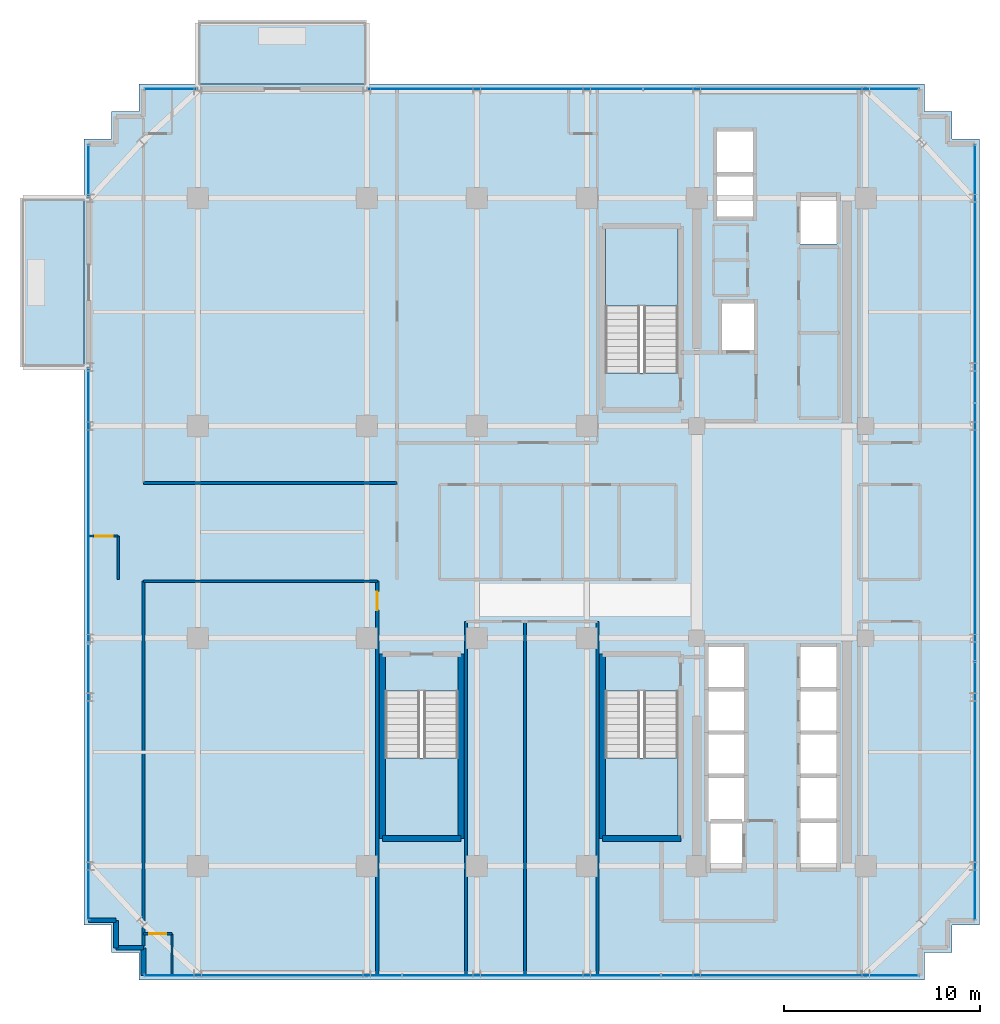
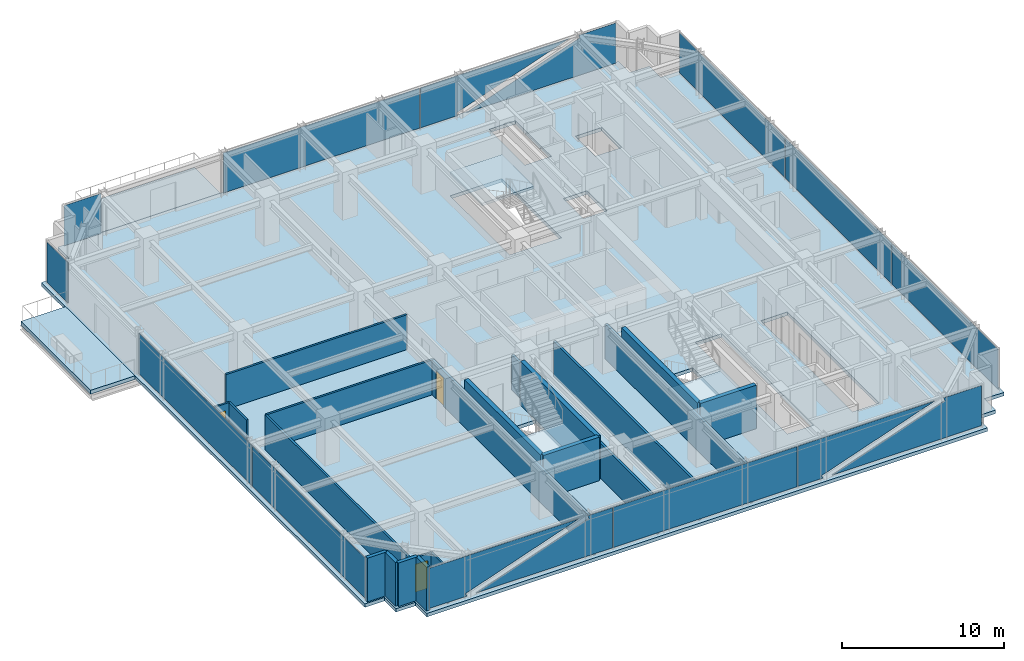
# One storey, part 25 of 32: 20 walls, 12 plates, 6 slabs, 3 doors, 3 openings, 9 elements without a shape of their own.
"""IFC4 building model written with IfcOpenShell, lengths in metres."""

import ifcopenshell
import ifcopenshell.guid

model = None  # the IFC model being written
_history = None  # IfcOwnerHistory: only IFC2X3 demands one
_inside = {}  # id of a spatial element -> (the spatial element, [elements in it])
_under = {}  # id of a project, library or spatial element -> (it, [spatial elements below it])
_declared = {}  # id of a project -> (the project, [libraries it declares])
_typed = {}  # id of a type object -> (the type object, [elements of that type])
_made_of = {}  # id of a material, layer set ... -> (it, [elements and type objects made of it])


def new_model(schema):
    """Start an empty IFC model of exactly this schema.

    Asked for "IFC4X3", IfcOpenShell would pick the latest addendum, in which some entities
    have other attributes; the version numbers below select the first issue.
    IFC2X3 requires an IfcOwnerHistory on every rooted entity: one is made here for all.
    """
    global model, _history
    if schema == "IFC4X3":
        model = ifcopenshell.file(schema_version=(4, 3, 0, 0))
    else:
        model = ifcopenshell.file(schema=schema)
    _inside.clear()
    _under.clear()
    _declared.clear()
    _typed.clear()
    _made_of.clear()
    _history = None
    if model.schema == "IFC2X3":
        org = make("IfcOrganization", Name="unknown")
        user = make(
            "IfcPersonAndOrganization",
            ThePerson=make("IfcPerson", FamilyName="unknown"),
            TheOrganization=org,
        )
        app = make(
            "IfcApplication",
            ApplicationDeveloper=org,
            Version="unknown",
            ApplicationFullName="unknown",
            ApplicationIdentifier="unknown",
        )
        _history = make(
            "IfcOwnerHistory",
            OwningUser=user,
            OwningApplication=app,
            ChangeAction="ADDED",
            CreationDate=0,
        )
    return model


def make(cls, **values):
    """One entity of the class cls with the attributes given. An attribute that is None is left unset."""
    return model.create_entity(
        cls, **{name: value for name, value in values.items() if value is not None}
    )


def rooted(cls, **values):
    """An entity with a GlobalId (a new one), such as an element, a storey or a relation."""
    return make(cls, GlobalId=ifcopenshell.guid.new(), OwnerHistory=_history, **values)


def si_unit(unit_type, name, prefix=None):
    """IfcSIUnit, for example si_unit("LENGTHUNIT", "METRE", prefix="MILLI")."""
    return make("IfcSIUnit", UnitType=unit_type, Prefix=prefix, Name=name)


def assignment(units):
    """IfcUnitAssignment: the units of a project."""
    return None if units is None else make("IfcUnitAssignment", Units=units)


def point(xyz):
    """IfcCartesianPoint."""
    return None if xyz is None else make("IfcCartesianPoint", Coordinates=xyz)


def direction(xyz):
    """IfcDirection."""
    return None if xyz is None else make("IfcDirection", DirectionRatios=xyz)


def frame(location, z_axis=None, x_axis=None):
    """IfcAxis2Placement3D, a coordinate frame: its origin and axes. An axis left out is left unset."""
    return make(
        "IfcAxis2Placement3D",
        Location=point(location),
        Axis=direction(z_axis),
        RefDirection=direction(x_axis),
    )


def frame_2d(location, x_axis=None):
    """IfcAxis2Placement2D, a coordinate frame in the plane: its origin and x axis."""
    return make(
        "IfcAxis2Placement2D", Location=point(location), RefDirection=direction(x_axis)
    )


def origin():
    """The frame at (0, 0, 0) with its axes left unset."""
    return frame((0.0, 0.0, 0.0))


def origin_2d():
    """The frame at (0, 0) in the plane with its x axis left unset."""
    return frame_2d((0.0, 0.0))


def place(relative_to, where):
    """IfcLocalPlacement: puts the frame where relative to a parent placement (None: the world)."""
    return make(
        "IfcLocalPlacement", PlacementRelTo=relative_to, RelativePlacement=where
    )


def context(
    kind, dimensions, precision=None, world=None, true_north=None, identifier=None
):
    """IfcGeometricRepresentationContext, for example the 3D "Model" context."""
    return make(
        "IfcGeometricRepresentationContext",
        ContextIdentifier=identifier,
        ContextType=kind,
        CoordinateSpaceDimension=dimensions,
        Precision=precision,
        WorldCoordinateSystem=world,
        TrueNorth=true_north,
    )


def subcontext(parent, identifier, kind, view, scale=None):
    """IfcGeometricRepresentationSubContext, for example "Body" below "Model"."""
    return make(
        "IfcGeometricRepresentationSubContext",
        ContextIdentifier=identifier,
        ContextType=kind,
        ParentContext=parent,
        TargetScale=scale,
        TargetView=view,
    )


def project(units=None, contexts=None):
    """IfcProject with its units and contexts."""
    return rooted(
        "IfcProject",
        Name="project",
        RepresentationContexts=contexts,
        UnitsInContext=assignment(units),
    )


def spatial(cls, under=None, at=None, **own):
    """A site, building, storey or space (cls), placed at a placement, below another one or the project."""
    s = rooted(cls, ObjectPlacement=at, **own)
    if under is not None:
        _under.setdefault(under.id(), (under, []))[1].append(s)
    return s


def polyline(points):
    """IfcPolyline through the points."""
    return make("IfcPolyline", Points=[point(p) for p in points])


def profile(cls, at=None, kind="AREA", **sizes):
    """A parametric profile (cls). Its sizes go by their IFC names, for example OverallWidth=200.0."""
    return make(cls, ProfileType=kind, Position=at, **sizes)


def rectangle(**sizes):
    """IfcRectangleProfileDef."""
    return profile("IfcRectangleProfileDef", **sizes)


def outline(outer, holes=None, kind="AREA"):
    """IfcArbitraryClosedProfileDef: a profile drawn as a closed curve; with holes, ...WithVoids."""
    if holes is None:
        return make("IfcArbitraryClosedProfileDef", ProfileType=kind, OuterCurve=outer)
    return make(
        "IfcArbitraryProfileDefWithVoids",
        ProfileType=kind,
        OuterCurve=outer,
        InnerCurves=holes,
    )


def extrude(swept, where, along, depth):
    """IfcExtrudedAreaSolid: the profile swept, set in the frame where, extruded along a direction by depth."""
    return make(
        "IfcExtrudedAreaSolid",
        SweptArea=swept,
        Position=where,
        ExtrudedDirection=direction(along),
        Depth=depth,
    )


def shape(context_of_items, identifier, shape_type, items):
    """IfcShapeRepresentation: the items that make up one representation, for example the "Body"."""
    return make(
        "IfcShapeRepresentation",
        ContextOfItems=context_of_items,
        RepresentationIdentifier=identifier,
        RepresentationType=shape_type,
        Items=items,
    )


def source(mapping_origin, context_of_items, identifier, shape_type, items):
    """IfcRepresentationMap: a shape defined once, which mapped items show again and again."""
    return make(
        "IfcRepresentationMap",
        MappingOrigin=mapping_origin,
        MappedRepresentation=shape(context_of_items, identifier, shape_type, items),
    )


def transform(
    local_origin,
    x_axis=None,
    y_axis=None,
    z_axis=None,
    scale=None,
    scale2=None,
    scale3=None,
    uniform=True,
):
    """IfcCartesianTransformationOperator3D, or its non-uniform kind. x_axis, y_axis, z_axis: its Axis1, 2, 3."""
    if uniform:
        return make(
            "IfcCartesianTransformationOperator3D",
            Axis1=direction(x_axis),
            Axis2=direction(y_axis),
            LocalOrigin=point(local_origin),
            Scale=scale,
            Axis3=direction(z_axis),
        )
    return make(
        "IfcCartesianTransformationOperator3DnonUniform",
        Axis1=direction(x_axis),
        Axis2=direction(y_axis),
        LocalOrigin=point(local_origin),
        Scale=scale,
        Axis3=direction(z_axis),
        Scale2=scale2,
        Scale3=scale3,
    )


def mapped(mapping_source, mapping_target):
    """IfcMappedItem: shows the shape of a source again, moved by a transform."""
    return make(
        "IfcMappedItem", MappingSource=mapping_source, MappingTarget=mapping_target
    )


def material(Name=None, Category=None):
    """IfcMaterial."""
    return make("IfcMaterial", Name=Name, Category=Category)


def layer(
    of_material, thickness, ventilated=None, Name=None, Category=None, Priority=None
):
    """IfcMaterialLayer: one layer of a wall or slab, of a material (None: an air gap)."""
    return make(
        "IfcMaterialLayer",
        Material=of_material,
        LayerThickness=thickness,
        IsVentilated=ventilated,
        Name=Name,
        Category=Category,
        Priority=Priority,
    )


def layer_set(layers, Name=None):
    """IfcMaterialLayerSet."""
    return make("IfcMaterialLayerSet", MaterialLayers=layers, LayerSetName=Name)


def made_of(thing, what):
    """Note that an element or type object is made of a material, layer set ...; save() writes the relation."""
    if what is not None:
        _made_of.setdefault(what.id(), (what, []))[1].append(thing)
    return thing


def type_object(cls, material=None, **own):
    """A type object (cls), such as IfcWallType, which elements share."""
    return made_of(rooted(cls, **own), material)


def element(
    cls,
    number,
    at=None,
    inside=None,
    cuts=None,
    type_object=None,
    material=None,
    context=None,
    identifier="Body",
    shape_type=None,
    held_by="IfcProductDefinitionShape",
    body=None,
    shapes=None,
    **own,
):
    """One element of the class cls, such as IfcWall. Its Tag is "e" and its number.

    at: its placement. inside: the storey or other place that contains it. cuts: it is an
    opening in that element (IfcRelVoidsElement). A single representation is given by context,
    identifier, shape_type and body (its items); several are given by shapes. held_by: the class
    of the entity that holds the representations. save() writes the other relations.
    """
    e = rooted(cls, Tag="e%d" % number, ObjectPlacement=at, **own)
    if body is not None:
        shapes = [shape(context, identifier, shape_type, body)]
    if shapes is not None:
        e.Representation = make(held_by, Representations=shapes)
    if inside is not None:
        _inside.setdefault(inside.id(), (inside, []))[1].append(e)
    if cuts is not None:
        rooted(
            "IfcRelVoidsElement", RelatingBuildingElement=cuts, RelatedOpeningElement=e
        )
    if type_object is not None:
        _typed.setdefault(type_object.id(), (type_object, []))[1].append(e)
    return made_of(e, material)


def fill(opening, filler):
    """IfcRelFillsElement: the door or window that sits in an opening."""
    return rooted(
        "IfcRelFillsElement",
        RelatingOpeningElement=opening,
        RelatedBuildingElement=filler,
    )


def aggregate(whole, parts):
    """IfcRelAggregates: a whole, such as a stair, and the parts it consists of."""
    return rooted("IfcRelAggregates", RelatingObject=whole, RelatedObjects=parts)


def save(model, path):
    """Write the relations noted so far, then the file.

    IfcRelAggregates (storeys below a building ...), IfcRelContainedInSpatialStructure (elements
    in a storey), IfcRelDefinesByType, IfcRelAssociatesMaterial and IfcRelDeclares: one each for
    every whole, place, type object, material and project.
    """
    for whole, parts in _under.values():
        aggregate(whole, parts)
    for where, things in _inside.values():
        rooted(
            "IfcRelContainedInSpatialStructure",
            RelatedElements=things,
            RelatingStructure=where,
        )
    for kind, things in _typed.values():
        rooted("IfcRelDefinesByType", RelatedObjects=things, RelatingType=kind)
    for what, things in _made_of.values():
        rooted("IfcRelAssociatesMaterial", RelatedObjects=things, RelatingMaterial=what)
    for by, libraries in _declared.values():
        rooted("IfcRelDeclares", RelatingContext=by, RelatedDefinitions=libraries)
    model.write(path)


model = new_model("IFC4")

# Units and contexts
model_context = context("Model", 3, precision=1e-05, world=origin(), true_north=direction((0.0, 1.0)))
body_context = subcontext(model_context, "Body", "Model", "MODEL_VIEW")
ifc_project = project(units=[si_unit("LENGTHUNIT", "METRE"), si_unit("AREAUNIT", "SQUARE_METRE"), si_unit("VOLUMEUNIT", "CUBIC_METRE"), si_unit("PLANEANGLEUNIT", "RADIAN"), si_unit("MASSUNIT", "GRAM", prefix="KILO")], contexts=[model_context])

# Site, building, storey
site_placement = place(None, origin())
site = spatial("IfcSite", under=ifc_project, at=site_placement, CompositionType="ELEMENT")
building_placement = place(site_placement, origin())
building = spatial("IfcBuilding", under=site, at=building_placement, Name="Nahalor Promenade Grand Hotel", CompositionType="ELEMENT")
storey_placement = place(building_placement, frame((0.0, 0.0, 196.449951171875)))
storey = spatial("IfcBuildingStorey", under=building, at=storey_placement, Name="L50", CompositionType="ELEMENT", Elevation=196.449951171875)

# Curtain wall, plates
ifc_material_1 = material(Name="Anodised Bronze Aluminium EN AW-6063 T6", Category="aluminium")
curtain_wall_type = type_object("IfcCurtainWallType", Name="CW2 Typical Hotel Flush Bronze Unitised Curtain Wall", PredefinedType="USERDEFINED", material=ifc_material_1)
curtain_wall_1_placement = place(storey_placement, origin())
curtain_wall_1 = element("IfcCurtainWall", 1, at=curtain_wall_1_placement, inside=storey, type_object=curtain_wall_type, Name="L50 Curtain Wall CW-L50-S-1", ObjectType="UNITISED_CURTAIN_WALL", PredefinedType="USERDEFINED")
ifc_material_2 = material(Name="Low-E Laminated Solar Glass", Category="glass")
ifc_layer_1 = layer(ifc_material_2, 0.028076171875)
ifc_layer_set_1 = layer_set([ifc_layer_1], Name="Low-E Laminated Solar Glass")
plate_type = type_object("IfcPlateType", Name="CWP2 Bronze Low-E Vision IGU 28mm", PredefinedType="CURTAIN_PANEL", material=ifc_layer_set_1)
plate_1_placement = place(storey_placement, frame((-13.156982421875, -22.56005859375, 0.1298828125), z_axis=(0.0, 0.0, 1.0), x_axis=(1.0, 0.0, 0.0)))
plate_1 = element("IfcPlate", 2, at=plate_1_placement, type_object=plate_type, Name="CW-L50-S-1 Glazing Panel 0-0", PredefinedType="CURTAIN_PANEL", context=body_context, shape_type="SweptSolid", body=[
    extrude(outline(polyline([(-6.537841796875, 3.030029296875), (-6.537841796875, 0.0), (-3.862548828125, 0.0), (-3.9404296875, 0.224365234375), (4.12939453125, 3.030029296875), (-6.537841796875, 3.030029296875)])), frame((0.0, 0.01416015625, 0.0), z_axis=(0.0, -1.0, 0.0), x_axis=(1.0, 0.0, 0.0)), (0.0, 0.0, 1.0), 0.028076171875),
    extrude(outline(polyline([(6.537841796875, 0.0), (6.537841796875, 3.030029296875), (4.776611328125, 3.030029296875), (4.8544921875, 2.8056640625), (-3.21533203125, 0.0), (6.537841796875, 0.0)])), frame((0.0, 0.01416015625, 0.0), z_axis=(0.0, -1.0, 0.0), x_axis=(1.0, 0.0, 0.0)), (0.0, 0.0, 1.0), 0.028076171875),
])
plate_2_placement = place(storey_placement, frame((13.156982421875, -22.56005859375, 0.1298828125), z_axis=(0.0, 0.0, 1.0), x_axis=(1.0, 0.0, 0.0)))
plate_2 = element("IfcPlate", 3, at=plate_2_placement, type_object=plate_type, Name="CW-L50-S-1 Glazing Panel 2-0", PredefinedType="CURTAIN_PANEL", context=body_context, shape_type="SweptSolid", body=[
    extrude(outline(polyline([(-6.537841796875, 3.030029296875), (-6.537841796875, 0.0), (-4.776611328125, 0.0), (-4.8544921875, 0.224365234375), (3.21533203125, 3.030029296875), (-6.537841796875, 3.030029296875)])), frame((0.0, 0.01416015625, 0.0), z_axis=(0.0, -1.0, 0.0), x_axis=(1.0, 0.0, 0.0)), (0.0, 0.0, 1.0), 0.028076171875),
    extrude(outline(polyline([(6.537841796875, 0.0), (6.537841796875, 3.030029296875), (3.862548828125, 3.030029296875), (3.9404296875, 2.8056640625), (-4.12939453125, 0.0), (6.537841796875, 0.0)])), frame((0.0, 0.01416015625, 0.0), z_axis=(0.0, -1.0, 0.0), x_axis=(1.0, 0.0, 0.0)), (0.0, 0.0, 1.0), 0.028076171875),
])

# Curtain wall, plate
curtain_wall_2_placement = place(storey_placement, origin())
curtain_wall_2 = element("IfcCurtainWall", 4, at=curtain_wall_2_placement, inside=storey, type_object=curtain_wall_type, Name="L50 Curtain Wall CW-L50-N-3", ObjectType="UNITISED_CURTAIN_WALL", PredefinedType="USERDEFINED")
plate_3_placement = place(storey_placement, frame((12.703857421875, 22.56005859375, 0.1298828125), z_axis=(0.0, 0.0, 1.0), x_axis=(1.0, 0.0, 0.0)))
plate_3 = element("IfcPlate", 5, at=plate_3_placement, type_object=plate_type, Name="CW-L50-N-3 Glazing Panel 1-0", PredefinedType="CURTAIN_PANEL", context=body_context, shape_type="SweptSolid", body=[
    extrude(outline(polyline([(-6.9912109375, 3.030029296875), (-6.9912109375, 0.0), (-4.3232421875, 0.0), (-4.4013671875, 0.224365234375), (3.668701171875, 3.030029296875), (-6.9912109375, 3.030029296875)])), frame((0.0, 0.01416015625, 0.0), z_axis=(0.0, -1.0, 0.0), x_axis=(1.0, 0.0, 0.0)), (0.0, 0.0, 1.0), 0.028076171875),
    extrude(outline(polyline([(6.9912109375, 0.0), (6.9912109375, 3.030029296875), (4.315673828125, 3.030029296875), (4.393798828125, 2.8056640625), (-3.676025390625, 0.0), (6.9912109375, 0.0)])), frame((0.0, 0.01416015625, 0.0), z_axis=(0.0, -1.0, 0.0), x_axis=(1.0, 0.0, 0.0)), (0.0, 0.0, 1.0), 0.028076171875),
])

# Stair, slab
ifc_material_3 = material(Name="Concrete B-50 (C40/50)", Category="concrete")
stair_type_1 = type_object("IfcStairType", Name="Stair-ST1", PredefinedType="HALF_TURN_STAIR", material=ifc_material_3)
stair_1_placement = place(storey_placement, origin())
stair_1 = element("IfcStair", 6, at=stair_1_placement, inside=storey, type_object=stair_type_1, Name="L50 ST1", PredefinedType="HALF_TURN_STAIR")
ifc_layer_2 = layer(ifc_material_3, 0.199951171875)
ifc_layer_set_2 = layer_set([ifc_layer_2], Name="Concrete B-50 (C40/50)")
slab_type_1 = type_object("IfcSlabType", Name="Landing-ST1", PredefinedType="LANDING", material=ifc_layer_set_2)
slab_1_placement = place(storey_placement, frame((0.0, 0.0, 1.625)))
slab_1 = element("IfcSlab", 7, at=slab_1_placement, type_object=slab_type_1, Name="ST1 landing 1", PredefinedType="LANDING", context=body_context, shape_type="SweptSolid", body=[
    extrude(outline(polyline([(7.449951171875, 11.5), (7.449951171875, 15.449951171875), (3.75, 15.449951171875), (3.75, 11.5), (7.449951171875, 11.5)])), origin(), (0.0, 0.0, 1.0), 0.199951171875),
])
aggregate(stair_1, [slab_1])

stair_type_2 = type_object("IfcStairType", Name="Stair-ST2", PredefinedType="HALF_TURN_STAIR", material=ifc_material_3)
stair_2_placement = place(storey_placement, origin())
stair_2 = element("IfcStair", 8, at=stair_2_placement, inside=storey, type_object=stair_type_2, Name="L50 ST2", PredefinedType="HALF_TURN_STAIR")
ifc_layer_3 = layer(ifc_material_3, 0.2099609375)
ifc_layer_set_3 = layer_set([ifc_layer_3], Name="Concrete B-50 (C40/50)")
slab_type_2 = type_object("IfcSlabType", Name="Landing-ST2", PredefinedType="LANDING", material=ifc_layer_set_3)
slab_2_placement = place(storey_placement, frame((0.0, 0.0, 1.614990234375)))
slab_2 = element("IfcSlab", 9, at=slab_2_placement, type_object=slab_type_2, Name="ST2 landing 1", PredefinedType="LANDING", context=body_context, shape_type="SweptSolid", body=[
    extrude(outline(polyline([(3.75, -11.5), (3.75, -15.449951171875), (7.449951171875, -15.449951171875), (7.449951171875, -11.5), (3.75, -11.5)])), origin(), (0.0, 0.0, 1.0), 0.2099609375),
])
aggregate(stair_2, [slab_2])

stair_type_3 = type_object("IfcStairType", Name="Stair-ST3", PredefinedType="HALF_TURN_STAIR", material=ifc_material_3)
stair_3_placement = place(storey_placement, origin())
stair_3 = element("IfcStair", 10, at=stair_3_placement, inside=storey, type_object=stair_type_3, Name="L50 ST3", PredefinedType="HALF_TURN_STAIR")
ifc_layer_4 = layer(ifc_material_3, 0.219970703125)
ifc_layer_set_4 = layer_set([ifc_layer_4], Name="Concrete B-50 (C40/50)")
slab_type_3 = type_object("IfcSlabType", Name="Landing-ST3", PredefinedType="LANDING", material=ifc_layer_set_4)
slab_3_placement = place(storey_placement, frame((0.0, 0.0, 1.60498046875)))
slab_3 = element("IfcSlab", 11, at=slab_3_placement, type_object=slab_type_3, Name="ST3 landing 1", PredefinedType="LANDING", context=body_context, shape_type="SweptSolid", body=[
    extrude(outline(polyline([(-7.449951171875, -11.5), (-7.449951171875, -15.449951171875), (-3.75, -15.449951171875), (-3.75, -11.5), (-7.449951171875, -11.5)])), origin(), (0.0, 0.0, 1.0), 0.219970703125),
])
aggregate(stair_3, [slab_3])

# Slabs
ifc_layer_5 = layer(ifc_material_3, 0.280029296875)
ifc_layer_set_5 = layer_set([ifc_layer_5], Name="Concrete B-50 (C40/50)")
slab_type_4 = type_object("IfcSlabType", Name="Slab-Balcony-280", PredefinedType="FLOOR", material=ifc_layer_set_5)
slab_4_placement = place(storey_placement, frame((0.0, 0.0, -0.280029296875)))
element("IfcSlab", 12, at=slab_4_placement, inside=storey, type_object=slab_type_4, Name="L50 Cantilevered Planted Balcony 1", PredefinedType="FLOOR", context=body_context, shape_type="SweptSolid", body=[
    extrude(outline(polyline([(-17.0, 22.800048828125), (-8.39990234375, 22.800048828125), (-8.39990234375, 26.0), (-17.0, 26.0), (-17.0, 22.800048828125)])), origin(), (0.0, 0.0, 1.0), 0.280029296875),
])
slab_5_placement = place(storey_placement, frame((0.0, 0.0, -0.280029296875)))
element("IfcSlab", 13, at=slab_5_placement, inside=storey, type_object=slab_type_4, Name="L50 Cantilevered Planted Balcony 2", PredefinedType="FLOOR", context=body_context, shape_type="SweptSolid", body=[
    extrude(outline(polyline([(-25.97998046875, 8.39990234375), (-22.800048828125, 8.39990234375), (-22.800048828125, 17.0), (-25.97998046875, 17.0), (-25.97998046875, 8.39990234375)])), origin(), (0.0, 0.0, 1.0), 0.280029296875),
])
ifc_layer_6 = layer(ifc_material_3, 0.260009765625)
ifc_layer_set_6 = layer_set([ifc_layer_6], Name="Concrete B-50 (C40/50)")
slab_type_5 = type_object("IfcSlabType", Name="Slab-TowerZ3-260", PredefinedType="FLOOR", material=ifc_layer_set_6)
slab_6_placement = place(storey_placement, frame((0.0, 0.0, -0.260009765625)))
element("IfcSlab", 14, at=slab_6_placement, inside=storey, type_object=slab_type_5, Name="L50 Suspended Structural Floor Slab", PredefinedType="FLOOR", context=body_context, shape_type="SweptSolid", body=[
    extrude(outline(polyline([(-20.0, -22.800048828125), (20.0, -22.800048828125), (20.0, -21.39990234375), (21.39990234375, -21.39990234375), (21.39990234375, -20.0), (22.800048828125, -20.0), (22.800048828125, 20.0), (21.39990234375, 20.0), (21.39990234375, 21.39990234375), (20.0, 21.39990234375), (20.0, 22.800048828125), (-20.0, 22.800048828125), (-20.0, 21.39990234375), (-21.39990234375, 21.39990234375), (-21.39990234375, 20.0), (-22.800048828125, 20.0), (-22.800048828125, -20.0), (-21.39990234375, -20.0), (-21.39990234375, -21.39990234375), (-20.0, -21.39990234375), (-20.0, -22.800048828125)]), holes=[polyline([(3.75, 8.10009765625), (7.449951171875, 8.10009765625), (7.449951171875, 15.449951171875), (3.75, 15.449951171875), (3.75, 8.10009765625)]), polyline([(3.75, -15.449951171875), (7.449951171875, -15.449951171875), (7.449951171875, -8.10009765625), (3.75, -8.10009765625), (3.75, -15.449951171875)]), polyline([(-7.449951171875, -15.449951171875), (-3.75, -15.449951171875), (-3.75, -8.10009765625), (-7.449951171875, -8.10009765625), (-7.449951171875, -15.449951171875)]), polyline([(13.659912109375, -17.139892578125), (15.5400390625, -17.139892578125), (15.5400390625, -5.81005859375), (13.659912109375, -5.81005859375), (13.659912109375, -17.139892578125)]), polyline([(8.9599609375, -17.18994140625), (10.840087890625, -17.18994140625), (10.840087890625, -5.81005859375), (8.9599609375, -5.81005859375), (8.9599609375, -17.18994140625)]), polyline([(9.409912109375, 16.010009765625), (11.2900390625, 16.010009765625), (11.2900390625, 20.43994140625), (9.409912109375, 20.43994140625), (9.409912109375, 16.010009765625)]), polyline([(9.659912109375, 9.2099609375), (11.340087890625, 9.2099609375), (11.340087890625, 11.68994140625), (9.659912109375, 11.68994140625), (9.659912109375, 9.2099609375)]), polyline([(13.659912109375, 14.659912109375), (15.5400390625, 14.659912109375), (15.5400390625, 17.139892578125), (13.659912109375, 17.139892578125), (13.659912109375, 14.659912109375)])]), origin(), (0.0, 0.0, 1.0), 0.260009765625),
])

# Plate
shared_shape_1 = source(origin(), body_context, "Body", "SweptSolid", [
    extrude(rectangle(XDim=13.1083984375, YDim=0.028076171875, at=origin_2d()), origin(), (0.0, 0.0, 1.0), 3.030029296875),
])
plate_4_placement = place(storey_placement, frame((0.0, -22.56005859375, 0.1298828125), z_axis=(0.0, 0.0, 1.0), x_axis=(1.0, 0.0, 0.0)))
plate_4 = element("IfcPlate", 15, at=plate_4_placement, type_object=plate_type, Name="CW-L50-S-1 Glazing Panel 1-0", PredefinedType="CURTAIN_PANEL", context=body_context, shape_type="MappedRepresentation", body=[
    mapped(shared_shape_1, transform((0.0, 0.0, 0.0), scale=1.0)),
])

aggregate(curtain_wall_1, [plate_1, plate_4, plate_2])

# Curtain wall, plate
curtain_wall_3_placement = place(storey_placement, origin())
curtain_wall_3 = element("IfcCurtainWall", 16, at=curtain_wall_3_placement, inside=storey, type_object=curtain_wall_type, Name="L50 Curtain Wall CW-L50-E-1", ObjectType="UNITISED_CURTAIN_WALL", PredefinedType="USERDEFINED")
plate_5_placement = place(storey_placement, frame((22.56005859375, 0.0, 0.1298828125), z_axis=(0.0, 0.0, 1.0), x_axis=(0.0, 1.0, 0.0)))
plate_5 = element("IfcPlate", 17, at=plate_5_placement, type_object=plate_type, Name="CW-L50-E-1 Glazing Panel 1-0", PredefinedType="CURTAIN_PANEL", context=body_context, shape_type="MappedRepresentation", body=[
    mapped(shared_shape_1, transform((0.0, 0.0, 0.0), scale=1.0)),
])

curtain_wall_4_placement = place(storey_placement, origin())
curtain_wall_4 = element("IfcCurtainWall", 18, at=curtain_wall_4_placement, inside=storey, type_object=curtain_wall_type, Name="L50 Curtain Wall CW-L50-N-1", ObjectType="UNITISED_CURTAIN_WALL", PredefinedType="USERDEFINED")
shared_shape_2 = source(origin(), body_context, "Body", "SweptSolid", [
    extrude(rectangle(XDim=2.6298828125, YDim=0.028076171875, at=origin_2d()), origin(), (0.0, 0.0, 1.0), 3.030029296875),
])
plate_6_placement = place(storey_placement, frame((-18.3798828125, 22.56005859375, 0.1298828125), z_axis=(0.0, 0.0, 1.0), x_axis=(1.0, 0.0, 0.0)))
plate_6 = element("IfcPlate", 19, at=plate_6_placement, type_object=plate_type, Name="CW-L50-N-1 Glazing Panel 0-0", PredefinedType="CURTAIN_PANEL", context=body_context, shape_type="MappedRepresentation", body=[
    mapped(shared_shape_2, transform((0.0, 0.0, 0.0), scale=1.0)),
])
aggregate(curtain_wall_4, [plate_6])

curtain_wall_5_placement = place(storey_placement, origin())
curtain_wall_5 = element("IfcCurtainWall", 20, at=curtain_wall_5_placement, inside=storey, type_object=curtain_wall_type, Name="L50 Curtain Wall CW-L50-W-3", ObjectType="UNITISED_CURTAIN_WALL", PredefinedType="USERDEFINED")
plate_7_placement = place(storey_placement, frame((-22.56005859375, 18.3798828125, 0.1298828125), z_axis=(0.0, 0.0, 1.0), x_axis=(0.0, 1.0, 0.0)))
plate_7 = element("IfcPlate", 21, at=plate_7_placement, type_object=plate_type, Name="CW-L50-W-3 Glazing Panel 0-0", PredefinedType="CURTAIN_PANEL", context=body_context, shape_type="MappedRepresentation", body=[
    mapped(shared_shape_2, transform((0.0, 0.0, 0.0), scale=1.0)),
])
aggregate(curtain_wall_5, [plate_7])

# Plate
shared_shape_3 = source(origin(), body_context, "Body", "SweptSolid", [
    extrude(rectangle(XDim=13.982421875, YDim=0.028076171875, at=origin_2d()), origin(), (0.0, 0.0, 1.0), 3.030029296875),
])
plate_8_placement = place(storey_placement, frame((-1.34375, 22.56005859375, 0.1298828125), z_axis=(0.0, 0.0, 1.0), x_axis=(1.0, 0.0, 0.0)))
plate_8 = element("IfcPlate", 22, at=plate_8_placement, type_object=plate_type, Name="CW-L50-N-3 Glazing Panel 0-0", PredefinedType="CURTAIN_PANEL", context=body_context, shape_type="MappedRepresentation", body=[
    mapped(shared_shape_3, transform((0.0, 0.0, 0.0), scale=1.0)),
])

aggregate(curtain_wall_2, [plate_8, plate_3])

# Curtain wall, plates
curtain_wall_6_placement = place(storey_placement, origin())
curtain_wall_6 = element("IfcCurtainWall", 23, at=curtain_wall_6_placement, inside=storey, type_object=curtain_wall_type, Name="L50 Curtain Wall CW-L50-W-1", ObjectType="UNITISED_CURTAIN_WALL", PredefinedType="USERDEFINED")
plate_9_placement = place(storey_placement, frame((-22.56005859375, -12.703857421875, 0.1298828125), z_axis=(0.0, 0.0, 1.0), x_axis=(0.0, 1.0, 0.0)))
plate_9 = element("IfcPlate", 24, at=plate_9_placement, type_object=plate_type, Name="CW-L50-W-1 Glazing Panel 0-0", PredefinedType="CURTAIN_PANEL", context=body_context, shape_type="MappedRepresentation", body=[
    mapped(shared_shape_3, transform((0.0, 0.0, 0.0), scale=1.0)),
])
plate_10_placement = place(storey_placement, frame((-22.56005859375, 1.34375, 0.1298828125), z_axis=(0.0, 0.0, 1.0), x_axis=(0.0, 1.0, 0.0)))
plate_10 = element("IfcPlate", 25, at=plate_10_placement, type_object=plate_type, Name="CW-L50-W-1 Glazing Panel 1-0", PredefinedType="CURTAIN_PANEL", context=body_context, shape_type="MappedRepresentation", body=[
    mapped(shared_shape_3, transform((0.0, 0.0, 0.0), scale=1.0)),
])
aggregate(curtain_wall_6, [plate_9, plate_10])

# Plate
shared_shape_4 = source(origin(), body_context, "Body", "SweptSolid", [
    extrude(rectangle(XDim=13.075927734375, YDim=0.028076171875, at=origin_2d()), origin(), (0.0, 0.0, 1.0), 3.030029296875),
])
plate_11_placement = place(storey_placement, frame((22.56005859375, -13.156982421875, 0.1298828125), z_axis=(0.0, 0.0, 1.0), x_axis=(0.0, 1.0, 0.0)))
plate_11 = element("IfcPlate", 26, at=plate_11_placement, type_object=plate_type, Name="CW-L50-E-1 Glazing Panel 0-0", PredefinedType="CURTAIN_PANEL", context=body_context, shape_type="MappedRepresentation", body=[
    mapped(shared_shape_4, transform((0.0, 0.0, 0.0), scale=1.0)),
])

plate_12_placement = place(storey_placement, frame((22.56005859375, 13.156982421875, 0.1298828125), z_axis=(0.0, 0.0, 1.0), x_axis=(0.0, 1.0, 0.0)))
plate_12 = element("IfcPlate", 27, at=plate_12_placement, type_object=plate_type, Name="CW-L50-E-1 Glazing Panel 2-0", PredefinedType="CURTAIN_PANEL", context=body_context, shape_type="MappedRepresentation", body=[
    mapped(shared_shape_4, transform((0.0, 0.0, 0.0), scale=1.0)),
])

aggregate(curtain_wall_3, [plate_11, plate_5, plate_12])

# Walls
ifc_layer_7 = layer(ifc_material_3, 0.300048828125)
ifc_layer_set_7 = layer_set([ifc_layer_7], Name="Concrete B-50 (C40/50)")
wall_type_1 = type_object("IfcWallType", Name="Wall-ShaftShear-300", PredefinedType="SHEAR", material=ifc_layer_set_7)
shared_shape_5 = source(origin(), body_context, "Body", "SweptSolid", [
    extrude(rectangle(XDim=3.97998046875, YDim=0.300048828125, at=frame_2d((1.989990234375, 0.0))), origin(), (0.0, 0.0, 1.0), 3.2900390625),
])
for number, where, z_axis, x_axis, name in (
    (28, (3.610107421875, -15.590087890625, 0.0), (0.0, 0.0, 1.0), (1.0, 0.0, 0.0), "L50 Exit Stair ST2 Shaft Wall S"),
    (29, (-7.590087890625, -15.590087890625, 0.0), (0.0, 0.0, 1.0), (1.0, 0.0, 0.0), "L50 Exit Stair ST3 Shaft Wall S"),
):
    element("IfcWall", number, at=place(storey_placement, frame(where, z_axis=z_axis, x_axis=x_axis)), inside=storey, type_object=wall_type_1, Name=name, PredefinedType="SHEAR", context=body_context, shape_type="MappedRepresentation", body=[
        mapped(shared_shape_5, transform((0.0, 0.0, 0.0), scale=1.0)),
    ])
shared_shape_6 = source(origin(), body_context, "Body", "SweptSolid", [
    extrude(rectangle(XDim=9.380126953125, YDim=0.300048828125, at=frame_2d((4.68994140625, 0.0))), origin(), (0.0, 0.0, 1.0), 3.2900390625),
])
for number, where, z_axis, x_axis, name in (
    (30, (3.610107421875, -15.590087890625, 0.0), (0.0, 0.0, 1.0), (0.0, 1.0, 0.0), "L50 Exit Stair ST2 Shaft Wall W"),
    (31, (-7.590087890625, -15.590087890625, 0.0), (0.0, 0.0, 1.0), (0.0, 1.0, 0.0), "L50 Exit Stair ST3 Shaft Wall W"),
    (32, (-3.610107421875, -15.590087890625, 0.0), (0.0, 0.0, 1.0), (0.0, 1.0, 0.0), "L50 Exit Stair ST3 Shaft Wall E"),
):
    element("IfcWall", number, at=place(storey_placement, frame(where, z_axis=z_axis, x_axis=x_axis)), inside=storey, type_object=wall_type_1, Name=name, PredefinedType="SHEAR", context=body_context, shape_type="MappedRepresentation", body=[
        mapped(shared_shape_6, transform((0.0, 0.0, 0.0), scale=1.0)),
    ])
ifc_material_4 = material(Name="Concrete B-40 (C32/40)", Category="concrete")
ifc_layer_8 = layer(ifc_material_4, 0.25)
ifc_layer_set_8 = layer_set([ifc_layer_8], Name="Concrete B-40 (C32/40)")
wall_type_2 = type_object("IfcWallType", Name="Wall-BronzePier-250", PredefinedType="STANDARD", material=ifc_layer_set_8)
shared_shape_7 = source(origin(), body_context, "Body", "SweptSolid", [
    extrude(rectangle(XDim=1.400146484375, YDim=0.25, at=frame_2d((0.7001953125, 0.0))), origin(), (0.0, 0.0, 1.0), 3.2900390625),
])
for number, where, z_axis, x_axis, name in (
    (33, (-22.56005859375, -19.760009765625, 0.0), (0.0, 0.0, 1.0), (1.0, 0.0, 0.0), "W-L50-SR-13"),
    (34, (-19.760009765625, -22.56005859375, 0.0), (0.0, 0.0, 1.0), (0.0, 1.0, 0.0), "W-L50-SR-16"),
):
    element("IfcWall", number, at=place(storey_placement, frame(where, z_axis=z_axis, x_axis=x_axis)), inside=storey, type_object=wall_type_2, Name=name, PredefinedType="STANDARD", context=body_context, shape_type="MappedRepresentation", body=[
        mapped(shared_shape_7, transform((0.0, 0.0, 0.0), scale=1.0)),
    ])
shared_shape_8 = source(origin(), body_context, "Body", "SweptSolid", [
    extrude(rectangle(XDim=1.39990234375, YDim=0.25, at=frame_2d((0.699951171875, 0.0))), origin(), (0.0, 0.0, 1.0), 3.2900390625),
])
for number, where, z_axis, x_axis, name in (
    (35, (-21.159912109375, -21.159912109375, 0.0), (0.0, 0.0, 1.0), (0.0, 1.0, 0.0), "W-L50-SR-14"),
    (36, (-21.159912109375, -21.159912109375, 0.0), (0.0, 0.0, 1.0), (1.0, 0.0, 0.0), "W-L50-SR-15"),
):
    element("IfcWall", number, at=place(storey_placement, frame(where, z_axis=z_axis, x_axis=x_axis)), inside=storey, type_object=wall_type_2, Name=name, PredefinedType="STANDARD", context=body_context, shape_type="MappedRepresentation", body=[
        mapped(shared_shape_8, transform((0.0, 0.0, 0.0), scale=1.0)),
    ])
ifc_material_5 = material(Name="Acoustic Mineral Gypsum", Category="gypsum")
ifc_layer_9 = layer(ifc_material_5, 0.159912109375)
ifc_layer_set_9 = layer_set([ifc_layer_9], Name="Acoustic Mineral Gypsum")
wall_type_3 = type_object("IfcWallType", Name="Wall-PartCorridor-160", PredefinedType="PARTITIONING", material=ifc_layer_set_9)
shared_shape_9 = source(origin(), body_context, "Body", "SweptSolid", [
    extrude(rectangle(XDim=17.949951171875, YDim=0.159912109375, at=frame_2d((8.97509765625, 0.0))), origin(), (0.0, 0.0, 1.0), 2.630126953125),
])
for number, where, z_axis, x_axis, name in (
    (37, (-3.340087890625, -22.5, 0.0), (0.0, 0.0, 1.0), (0.0, 1.0, 0.0), "W-L50-SCB1-W"),
    (38, (-0.35009765625, -22.5, 0.0), (0.0, 0.0, 1.0), (0.0, 1.0, 0.0), "W-L50-SCB1-E"),
    (39, (3.340087890625, -22.5, 0.0), (0.0, 0.0, 1.0), (0.0, 1.0, 0.0), "W-L50-SCB2-E"),
):
    element("IfcWall", number, at=place(storey_placement, frame(where, z_axis=z_axis, x_axis=x_axis)), inside=storey, type_object=wall_type_3, Name=name, PredefinedType="PARTITIONING", context=body_context, shape_type="MappedRepresentation", body=[
        mapped(shared_shape_9, transform((0.0, 0.0, 0.0), scale=1.0)),
    ])

# Wall, opening, door
shared_shape_10 = source(origin(), body_context, "Body", "SweptSolid", [
    extrude(rectangle(XDim=20.0, YDim=0.159912109375, at=frame_2d((10.0, 0.0))), origin(), (0.0, 0.0, 1.0), 2.630126953125),
])
wall_1_placement = place(storey_placement, frame((-7.860107421875, -22.5, 0.0), z_axis=(0.0, 0.0, 1.0), x_axis=(0.0, 1.0, 0.0)))
wall_1 = element("IfcWall", 40, at=wall_1_placement, inside=storey, type_object=wall_type_3, Name="W-L50-ZSW-E", PredefinedType="PARTITIONING", context=body_context, shape_type="MappedRepresentation", body=[
    mapped(shared_shape_10, transform((0.0, 0.0, 0.0), scale=1.0)),
])
opening_1_placement = place(wall_1_placement, frame((18.52490234375, 0.0, 0.0)))
opening_1 = element("IfcOpeningElement", 41, at=opening_1_placement, cuts=wall_1, Name="Opening D-01", PredefinedType="OPENING", context=body_context, shape_type="SweptSolid", body=[
    extrude(rectangle(XDim=0.949951171875, YDim=2.10009765625, at=frame_2d((0.47509765625, 1.050048828125))), frame((0.0, 0.08984375, 0.0), z_axis=(0.0, -1.0, 0.0), x_axis=(1.0, 0.0, 0.0)), (0.0, 0.0, 1.0), 0.179931640625),
])
ifc_material_6 = material(Name="Fire-Rated Timber Composite", Category="wood")
door_type_1 = type_object("IfcDoorType", Name="Door-GuestEntry-950", OperationType="NOTDEFINED", PredefinedType="DOOR", material=ifc_material_6)
shared_shape_11 = source(origin(), body_context, "Body", "SweptSolid", [
    extrude(rectangle(XDim=0.949951171875, YDim=2.10009765625, at=frame_2d((0.47509765625, 1.050048828125))), frame((0.0, 0.02490234375, 0.0), z_axis=(0.0, -1.0, 0.0), x_axis=(1.0, 0.0, 0.0)), (0.0, 0.0, 1.0), 0.050048828125),
])
door_1_placement = place(opening_1_placement, origin())
door_1 = element("IfcDoor", 42, at=door_1_placement, inside=storey, type_object=door_type_1, Name="DR-L50-SW0-ENT", OperationType="SINGLE_SWING_RIGHT", OverallHeight=2.10009765625, OverallWidth=0.949951171875, PredefinedType="DOOR", context=body_context, shape_type="MappedRepresentation", body=[
    mapped(shared_shape_11, transform((0.0, 0.0, 0.0), scale=1.0)),
])
fill(opening_1, door_1)

# Walls
ifc_layer_10 = layer(ifc_material_5, 0.139892578125)
ifc_layer_set_10 = layer_set([ifc_layer_10], Name="Acoustic Mineral Gypsum")
wall_type_4 = type_object("IfcWallType", Name="Wall-PartSuite-140", PredefinedType="PARTITIONING", material=ifc_layer_set_10)
shared_shape_12 = source(origin(), body_context, "Body", "SweptSolid", [
    extrude(rectangle(XDim=18.580078125, YDim=0.139892578125, at=frame_2d((9.2900390625, 0.0))), origin(), (0.0, 0.0, 1.0), 2.630126953125),
])
wall_2_placement = place(storey_placement, frame((-19.760009765625, -21.080078125, 0.0), z_axis=(0.0, 0.0, 1.0), x_axis=(0.0, 1.0, 0.0)))
element("IfcWall", 43, at=wall_2_placement, inside=storey, type_object=wall_type_4, Name="W-L50-ZSW-W", PredefinedType="PARTITIONING", context=body_context, shape_type="MappedRepresentation", body=[
    mapped(shared_shape_12, transform((0.0, 0.0, 0.0), scale=1.0)),
])
shared_shape_13 = source(origin(), body_context, "Body", "SweptSolid", [
    extrude(rectangle(XDim=12.909912109375, YDim=0.139892578125, at=frame_2d((6.455078125, 0.0))), origin(), (0.0, 0.0, 1.0), 2.630126953125),
])
wall_3_placement = place(storey_placement, frame((-19.760009765625, 2.5, 0.0), z_axis=(0.0, 0.0, 1.0), x_axis=(1.0, 0.0, 0.0)))
element("IfcWall", 44, at=wall_3_placement, inside=storey, type_object=wall_type_4, Name="W-L50-ZNW-S", PredefinedType="PARTITIONING", context=body_context, shape_type="MappedRepresentation", body=[
    mapped(shared_shape_13, transform((0.0, 0.0, 0.0), scale=1.0)),
])

# Wall, opening, door
ifc_layer_11 = layer(ifc_material_5, 0.1201171875)
ifc_layer_set_11 = layer_set([ifc_layer_11], Name="Acoustic Mineral Gypsum")
wall_type_5 = type_object("IfcWallType", Name="Wall-PartBath-120", PredefinedType="PARTITIONING", material=ifc_layer_set_11)
shared_shape_14 = source(origin(), body_context, "Body", "SweptSolid", [
    extrude(rectangle(XDim=1.449951171875, YDim=0.1201171875, at=frame_2d((0.72509765625, 0.0))), origin(), (0.0, 0.0, 1.0), 2.630126953125),
])
wall_4_placement = place(storey_placement, frame((-19.760009765625, -20.449951171875, 0.0), z_axis=(0.0, 0.0, 1.0), x_axis=(1.0, 0.0, 0.0)))
wall_4 = element("IfcWall", 45, at=wall_4_placement, inside=storey, type_object=wall_type_5, Name="W-L50-SW0-BH", PredefinedType="PARTITIONING", context=body_context, shape_type="MappedRepresentation", body=[
    mapped(shared_shape_14, transform((0.0, 0.0, 0.0), scale=1.0)),
])
opening_2_placement = place(wall_4_placement, frame((0.284912109375, 0.0, 0.0)))
opening_2 = element("IfcOpeningElement", 46, at=opening_2_placement, cuts=wall_4, Name="Opening D-03", PredefinedType="OPENING", context=body_context, shape_type="SweptSolid", body=[
    extrude(rectangle(XDim=0.8798828125, YDim=2.10009765625, at=frame_2d((0.43994140625, 1.050048828125))), frame((0.0, 0.070068359375, 0.0), z_axis=(0.0, -1.0, 0.0), x_axis=(1.0, 0.0, 0.0)), (0.0, 0.0, 1.0), 0.14013671875),
])
door_type_2 = type_object("IfcDoorType", Name="Door-BathSwing-880", OperationType="NOTDEFINED", PredefinedType="DOOR", material=ifc_material_6)
shared_shape_15 = source(origin(), body_context, "Body", "SweptSolid", [
    extrude(rectangle(XDim=0.8798828125, YDim=2.10009765625, at=frame_2d((0.43994140625, 1.050048828125))), frame((0.0, 0.02490234375, 0.0), z_axis=(0.0, -1.0, 0.0), x_axis=(1.0, 0.0, 0.0)), (0.0, 0.0, 1.0), 0.050048828125),
])
door_2_placement = place(opening_2_placement, frame((0.8798828125, 0.0, 0.0), z_axis=(0.0, 0.0, 1.0), x_axis=(-1.0, 0.0, 0.0)))
door_2 = element("IfcDoor", 47, at=door_2_placement, inside=storey, type_object=door_type_2, Name="DR-L50-SW0-BATH", OperationType="SINGLE_SWING_LEFT", OverallHeight=2.10009765625, OverallWidth=0.8798828125, PredefinedType="DOOR", context=body_context, shape_type="MappedRepresentation", body=[
    mapped(shared_shape_15, transform((0.0, 0.0, 0.0), scale=1.0)),
])
fill(opening_2, door_2)

wall_5_placement = place(storey_placement, frame((-22.5, -0.199951171875, 0.0), z_axis=(0.0, 0.0, 1.0), x_axis=(1.0, 0.0, 0.0)))
wall_5 = element("IfcWall", 48, at=wall_5_placement, inside=storey, type_object=wall_type_5, Name="W-L50-W1-BH", PredefinedType="PARTITIONING", context=body_context, shape_type="MappedRepresentation", body=[
    mapped(shared_shape_14, transform((0.0, 0.0, 0.0), scale=1.0)),
])
opening_3_placement = place(wall_5_placement, frame((0.284912109375, 0.0, 0.0)))
opening_3 = element("IfcOpeningElement", 49, at=opening_3_placement, cuts=wall_5, Name="Opening D-03", PredefinedType="OPENING", context=body_context, shape_type="SweptSolid", body=[
    extrude(rectangle(XDim=0.8798828125, YDim=2.10009765625, at=frame_2d((0.43994140625, 1.050048828125))), frame((0.0, 0.070068359375, 0.0), z_axis=(0.0, -1.0, 0.0), x_axis=(1.0, 0.0, 0.0)), (0.0, 0.0, 1.0), 0.14013671875),
])
door_3_placement = place(opening_3_placement, frame((0.8798828125, 0.0, 0.0), z_axis=(0.0, 0.0, 1.0), x_axis=(-1.0, 0.0, 0.0)))
door_3 = element("IfcDoor", 50, at=door_3_placement, inside=storey, type_object=door_type_2, Name="DR-L50-W1-BATH", OperationType="SINGLE_SWING_LEFT", OverallHeight=2.10009765625, OverallWidth=0.8798828125, PredefinedType="DOOR", context=body_context, shape_type="MappedRepresentation", body=[
    mapped(shared_shape_15, transform((0.0, 0.0, 0.0), scale=1.0)),
])
fill(opening_3, door_3)

# Walls
shared_shape_16 = source(origin(), body_context, "Body", "SweptSolid", [
    extrude(rectangle(XDim=2.219970703125, YDim=0.1201171875, at=frame_2d((1.10986328125, 0.0))), origin(), (0.0, 0.0, 1.0), 2.630126953125),
])
wall_6_placement = place(storey_placement, frame((-21.050048828125, -2.419921875, 0.0), z_axis=(0.0, 0.0, 1.0), x_axis=(0.0, 1.0, 0.0)))
element("IfcWall", 51, at=wall_6_placement, inside=storey, type_object=wall_type_5, Name="W-L50-W1-BV", PredefinedType="PARTITIONING", context=body_context, shape_type="MappedRepresentation", body=[
    mapped(shared_shape_16, transform((0.0, 0.0, 0.0), scale=1.0)),
])
shared_shape_17 = source(origin(), body_context, "Body", "SweptSolid", [
    extrude(rectangle(XDim=11.89990234375, YDim=0.139892578125, at=frame_2d((5.949951171875, 0.0))), origin(), (0.0, 0.0, 1.0), 2.630126953125),
])
wall_7_placement = place(storey_placement, frame((-19.760009765625, -2.5, 0.0), z_axis=(0.0, 0.0, 1.0), x_axis=(1.0, 0.0, 0.0)))
element("IfcWall", 52, at=wall_7_placement, inside=storey, type_object=wall_type_4, Name="W-L50-ZSW-N", PredefinedType="PARTITIONING", context=body_context, shape_type="MappedRepresentation", body=[
    mapped(shared_shape_17, transform((0.0, 0.0, 0.0), scale=1.0)),
])
shared_shape_18 = source(origin(), body_context, "Body", "SweptSolid", [
    extrude(rectangle(XDim=2.050048828125, YDim=0.1201171875, at=frame_2d((1.02490234375, 0.0))), origin(), (0.0, 0.0, 1.0), 2.630126953125),
])
wall_8_placement = place(storey_placement, frame((-18.31005859375, -22.5, 0.0), z_axis=(0.0, 0.0, 1.0), x_axis=(0.0, 1.0, 0.0)))
element("IfcWall", 53, at=wall_8_placement, inside=storey, type_object=wall_type_5, Name="W-L50-SW0-BV", PredefinedType="PARTITIONING", context=body_context, shape_type="MappedRepresentation", body=[
    mapped(shared_shape_18, transform((0.0, 0.0, 0.0), scale=1.0)),
])

save(model, "model.ifc")
